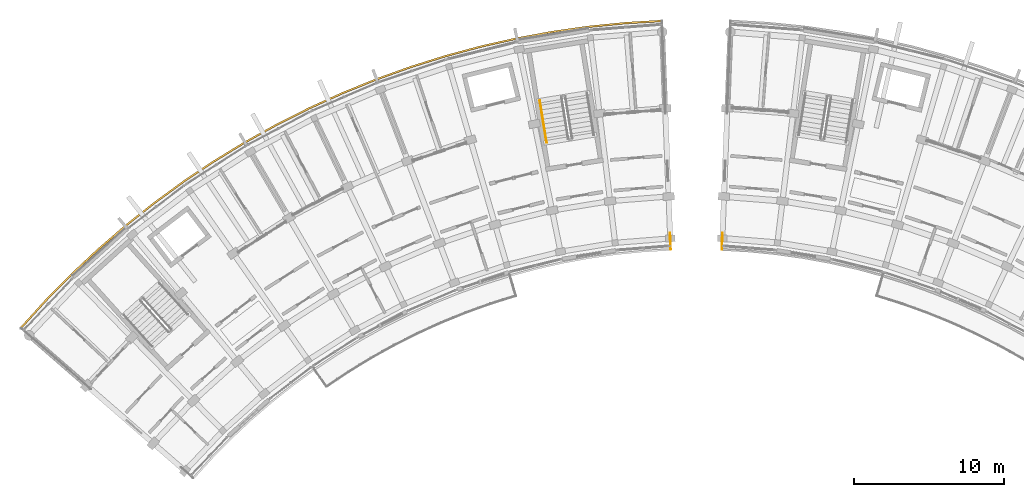
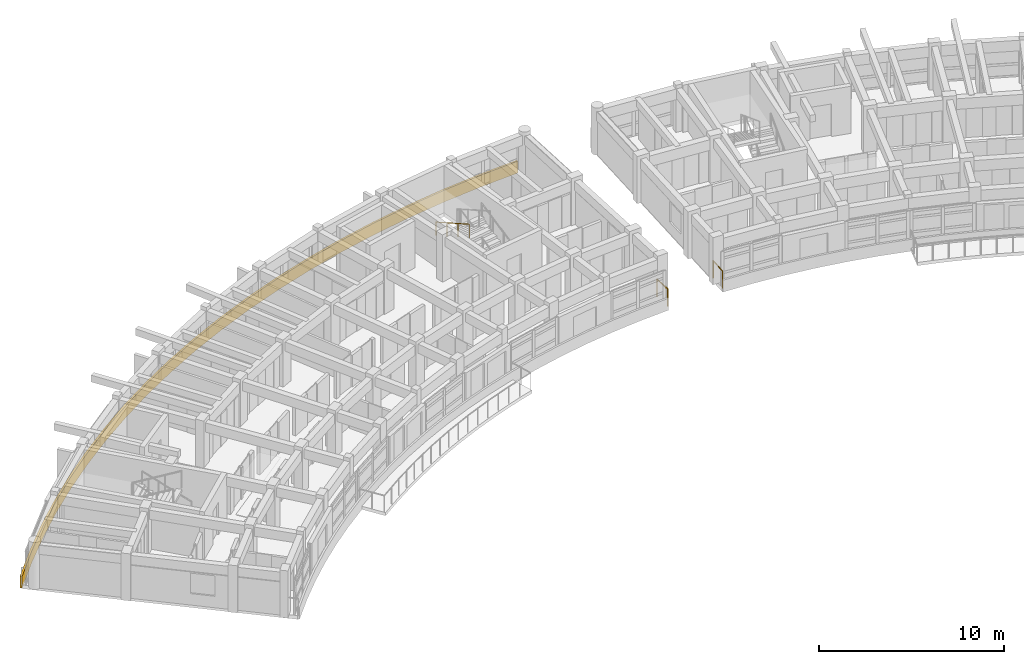
# One storey, part 43 of 54: 4 railings.
"""IFC4 building model written with IfcOpenShell, lengths in metres."""

import ifcopenshell
import ifcopenshell.guid

model = None  # the IFC model being written
_history = None  # IfcOwnerHistory: only IFC2X3 demands one
_inside = {}  # id of a spatial element -> (the spatial element, [elements in it])
_under = {}  # id of a project, library or spatial element -> (it, [spatial elements below it])
_declared = {}  # id of a project -> (the project, [libraries it declares])
_typed = {}  # id of a type object -> (the type object, [elements of that type])
_made_of = {}  # id of a material, layer set ... -> (it, [elements and type objects made of it])


def new_model(schema):
    """Start an empty IFC model of exactly this schema.

    Asked for "IFC4X3", IfcOpenShell would pick the latest addendum, in which some entities
    have other attributes; the version numbers below select the first issue.
    IFC2X3 requires an IfcOwnerHistory on every rooted entity: one is made here for all.
    """
    global model, _history
    if schema == "IFC4X3":
        model = ifcopenshell.file(schema_version=(4, 3, 0, 0))
    else:
        model = ifcopenshell.file(schema=schema)
    _inside.clear()
    _under.clear()
    _declared.clear()
    _typed.clear()
    _made_of.clear()
    _history = None
    if model.schema == "IFC2X3":
        org = make("IfcOrganization", Name="unknown")
        user = make(
            "IfcPersonAndOrganization",
            ThePerson=make("IfcPerson", FamilyName="unknown"),
            TheOrganization=org,
        )
        app = make(
            "IfcApplication",
            ApplicationDeveloper=org,
            Version="unknown",
            ApplicationFullName="unknown",
            ApplicationIdentifier="unknown",
        )
        _history = make(
            "IfcOwnerHistory",
            OwningUser=user,
            OwningApplication=app,
            ChangeAction="ADDED",
            CreationDate=0,
        )
    return model


def make(cls, **values):
    """One entity of the class cls with the attributes given. An attribute that is None is left unset."""
    return model.create_entity(
        cls, **{name: value for name, value in values.items() if value is not None}
    )


def rooted(cls, **values):
    """An entity with a GlobalId (a new one), such as an element, a storey or a relation."""
    return make(cls, GlobalId=ifcopenshell.guid.new(), OwnerHistory=_history, **values)


def si_unit(unit_type, name, prefix=None):
    """IfcSIUnit, for example si_unit("LENGTHUNIT", "METRE", prefix="MILLI")."""
    return make("IfcSIUnit", UnitType=unit_type, Prefix=prefix, Name=name)


def assignment(units):
    """IfcUnitAssignment: the units of a project."""
    return None if units is None else make("IfcUnitAssignment", Units=units)


def point(xyz):
    """IfcCartesianPoint."""
    return None if xyz is None else make("IfcCartesianPoint", Coordinates=xyz)


def direction(xyz):
    """IfcDirection."""
    return None if xyz is None else make("IfcDirection", DirectionRatios=xyz)


def frame(location, z_axis=None, x_axis=None):
    """IfcAxis2Placement3D, a coordinate frame: its origin and axes. An axis left out is left unset."""
    return make(
        "IfcAxis2Placement3D",
        Location=point(location),
        Axis=direction(z_axis),
        RefDirection=direction(x_axis),
    )


def frame_2d(location, x_axis=None):
    """IfcAxis2Placement2D, a coordinate frame in the plane: its origin and x axis."""
    return make(
        "IfcAxis2Placement2D", Location=point(location), RefDirection=direction(x_axis)
    )


def origin():
    """The frame at (0, 0, 0) with its axes left unset."""
    return frame((0.0, 0.0, 0.0))


def origin_2d():
    """The frame at (0, 0) in the plane with its x axis left unset."""
    return frame_2d((0.0, 0.0))


def place(relative_to, where):
    """IfcLocalPlacement: puts the frame where relative to a parent placement (None: the world)."""
    return make(
        "IfcLocalPlacement", PlacementRelTo=relative_to, RelativePlacement=where
    )


def context(
    kind, dimensions, precision=None, world=None, true_north=None, identifier=None
):
    """IfcGeometricRepresentationContext, for example the 3D "Model" context."""
    return make(
        "IfcGeometricRepresentationContext",
        ContextIdentifier=identifier,
        ContextType=kind,
        CoordinateSpaceDimension=dimensions,
        Precision=precision,
        WorldCoordinateSystem=world,
        TrueNorth=true_north,
    )


def subcontext(parent, identifier, kind, view, scale=None):
    """IfcGeometricRepresentationSubContext, for example "Body" below "Model"."""
    return make(
        "IfcGeometricRepresentationSubContext",
        ContextIdentifier=identifier,
        ContextType=kind,
        ParentContext=parent,
        TargetScale=scale,
        TargetView=view,
    )


def project(units=None, contexts=None):
    """IfcProject with its units and contexts."""
    return rooted(
        "IfcProject",
        Name="project",
        RepresentationContexts=contexts,
        UnitsInContext=assignment(units),
    )


def spatial(cls, under=None, at=None, **own):
    """A site, building, storey or space (cls), placed at a placement, below another one or the project."""
    s = rooted(cls, ObjectPlacement=at, **own)
    if under is not None:
        _under.setdefault(under.id(), (under, []))[1].append(s)
    return s


def polyline(points):
    """IfcPolyline through the points."""
    return make("IfcPolyline", Points=[point(p) for p in points])


def profile(cls, at=None, kind="AREA", **sizes):
    """A parametric profile (cls). Its sizes go by their IFC names, for example OverallWidth=200.0."""
    return make(cls, ProfileType=kind, Position=at, **sizes)


def circle(**sizes):
    """IfcCircleProfileDef."""
    return profile("IfcCircleProfileDef", **sizes)


def outline(outer, holes=None, kind="AREA"):
    """IfcArbitraryClosedProfileDef: a profile drawn as a closed curve; with holes, ...WithVoids."""
    if holes is None:
        return make("IfcArbitraryClosedProfileDef", ProfileType=kind, OuterCurve=outer)
    return make(
        "IfcArbitraryProfileDefWithVoids",
        ProfileType=kind,
        OuterCurve=outer,
        InnerCurves=holes,
    )


def extrude(swept, where, along, depth):
    """IfcExtrudedAreaSolid: the profile swept, set in the frame where, extruded along a direction by depth."""
    return make(
        "IfcExtrudedAreaSolid",
        SweptArea=swept,
        Position=where,
        ExtrudedDirection=direction(along),
        Depth=depth,
    )


def shape(context_of_items, identifier, shape_type, items):
    """IfcShapeRepresentation: the items that make up one representation, for example the "Body"."""
    return make(
        "IfcShapeRepresentation",
        ContextOfItems=context_of_items,
        RepresentationIdentifier=identifier,
        RepresentationType=shape_type,
        Items=items,
    )


def material(Name=None, Category=None):
    """IfcMaterial."""
    return make("IfcMaterial", Name=Name, Category=Category)


def made_of(thing, what):
    """Note that an element or type object is made of a material, layer set ...; save() writes the relation."""
    if what is not None:
        _made_of.setdefault(what.id(), (what, []))[1].append(thing)
    return thing


def type_object(cls, material=None, **own):
    """A type object (cls), such as IfcWallType, which elements share."""
    return made_of(rooted(cls, **own), material)


def element(
    cls,
    number,
    at=None,
    inside=None,
    cuts=None,
    type_object=None,
    material=None,
    context=None,
    identifier="Body",
    shape_type=None,
    held_by="IfcProductDefinitionShape",
    body=None,
    shapes=None,
    **own,
):
    """One element of the class cls, such as IfcWall. Its Tag is "e" and its number.

    at: its placement. inside: the storey or other place that contains it. cuts: it is an
    opening in that element (IfcRelVoidsElement). A single representation is given by context,
    identifier, shape_type and body (its items); several are given by shapes. held_by: the class
    of the entity that holds the representations. save() writes the other relations.
    """
    e = rooted(cls, Tag="e%d" % number, ObjectPlacement=at, **own)
    if body is not None:
        shapes = [shape(context, identifier, shape_type, body)]
    if shapes is not None:
        e.Representation = make(held_by, Representations=shapes)
    if inside is not None:
        _inside.setdefault(inside.id(), (inside, []))[1].append(e)
    if cuts is not None:
        rooted(
            "IfcRelVoidsElement", RelatingBuildingElement=cuts, RelatedOpeningElement=e
        )
    if type_object is not None:
        _typed.setdefault(type_object.id(), (type_object, []))[1].append(e)
    return made_of(e, material)


def aggregate(whole, parts):
    """IfcRelAggregates: a whole, such as a stair, and the parts it consists of."""
    return rooted("IfcRelAggregates", RelatingObject=whole, RelatedObjects=parts)


def save(model, path):
    """Write the relations noted so far, then the file.

    IfcRelAggregates (storeys below a building ...), IfcRelContainedInSpatialStructure (elements
    in a storey), IfcRelDefinesByType, IfcRelAssociatesMaterial and IfcRelDeclares: one each for
    every whole, place, type object, material and project.
    """
    for whole, parts in _under.values():
        aggregate(whole, parts)
    for where, things in _inside.values():
        rooted(
            "IfcRelContainedInSpatialStructure",
            RelatedElements=things,
            RelatingStructure=where,
        )
    for kind, things in _typed.values():
        rooted("IfcRelDefinesByType", RelatedObjects=things, RelatingType=kind)
    for what, things in _made_of.values():
        rooted("IfcRelAssociatesMaterial", RelatedObjects=things, RelatingMaterial=what)
    for by, libraries in _declared.values():
        rooted("IfcRelDeclares", RelatingContext=by, RelatedDefinitions=libraries)
    model.write(path)


model = new_model("IFC4")

# Units and contexts
model_context = context("Model", 3, precision=1e-05, world=origin(), true_north=direction((0.0, 1.0)))
body_context = subcontext(model_context, "Body", "Model", "MODEL_VIEW")
ifc_project = project(units=[si_unit("LENGTHUNIT", "METRE"), si_unit("AREAUNIT", "SQUARE_METRE"), si_unit("VOLUMEUNIT", "CUBIC_METRE"), si_unit("PLANEANGLEUNIT", "RADIAN"), si_unit("MASSUNIT", "GRAM", prefix="KILO")], contexts=[model_context])

# Site, building, storey
site_placement = place(None, origin())
site = spatial("IfcSite", under=ifc_project, at=site_placement, CompositionType="ELEMENT")
building_placement = place(site_placement, origin())
building = spatial("IfcBuilding", under=site, at=building_placement, Name="Zimvara Arc Housing Community", CompositionType="ELEMENT")
storey_placement = place(building_placement, frame((0.0, 0.0, 23.60009765625)))
storey = spatial("IfcBuildingStorey", under=building, at=storey_placement, Name="L07", CompositionType="ELEMENT", Elevation=23.60009765625)

# Railings
ifc_material_1 = material(Name="Anodised Aluminium AW-6063", Category="aluminium")
railing_type_1 = type_object("IfcRailingType", Name="RLG-BAL-1150", PredefinedType="BALUSTRADE", material=ifc_material_1)
railing_1_placement = place(storey_placement, frame((43.295654296875, 88.8671875, 0.0)))
element("IfcRailing", 1, at=railing_1_placement, inside=storey, type_object=railing_type_1, Name="rlg:blkA:L07:gable_in:gN", PredefinedType="BALUSTRADE", context=body_context, shape_type="SweptSolid", body=[
    extrude(circle(Radius=0.02392578125, at=origin_2d()), frame((0.0, 0.0, 1.1259765625), z_axis=(-0.038424441628, 0.999261508458, 0.0), x_axis=(-0.999261508458, -0.038424441628, 0.0)), (0.0, 0.0, 1.0), 1.080078125),
    extrude(circle(Radius=0.02099609375, at=origin_2d()), origin(), (0.0, 0.0, 1.0), 1.101806640625),
    extrude(circle(Radius=0.02099609375, at=origin_2d()), frame((-0.04150390625, 1.079345703125, 0.0)), (0.0, 0.0, 1.0), 1.101806640625),
])
railing_2_placement = place(storey_placement, frame((46.704345703125, 88.8671875, 0.0)))
element("IfcRailing", 2, at=railing_2_placement, inside=storey, type_object=railing_type_1, Name="rlg:blkB:L07:gable_in:g0", PredefinedType="BALUSTRADE", context=body_context, shape_type="SweptSolid", body=[
    extrude(circle(Radius=0.02392578125, at=origin_2d()), frame((0.0, 0.0, 1.1259765625), z_axis=(0.038424441628, 0.999261508458, 0.0), x_axis=(-0.999261508458, 0.038424441628, 0.0)), (0.0, 0.0, 1.0), 1.080078125),
    extrude(circle(Radius=0.02099609375, at=origin_2d()), origin(), (0.0, 0.0, 1.0), 1.101806640625),
    extrude(circle(Radius=0.02099609375, at=origin_2d()), frame((0.04150390625, 1.079345703125, 0.0)), (0.0, 0.0, 1.0), 1.101806640625),
])
ifc_material_2 = material(Name="Pale-Gold Anodised Aluminium AW-6063", Category="aluminium")
railing_type_2 = type_object("IfcRailingType", Name="RLG-FAS-780", PredefinedType="BALUSTRADE", material=ifc_material_2)
railing_3_placement = place(storey_placement, frame((0.0, 0.0, -0.22021484375)))
element("IfcRailing", 3, at=railing_3_placement, inside=storey, type_object=railing_type_2, Name="rlg:blkA:L07:gold_out", PredefinedType="BALUSTRADE", context=body_context, shape_type="SweptSolid", body=[
    extrude(outline(polyline([(0.049560546875, 83.574951171875), (1.682373046875, 85.377685546875), (3.387451171875, 87.112060546875), (5.162109375, 88.775634765625), (7.0029296875, 90.365234375), (8.9072265625, 91.87841796875), (10.871826171875, 93.3125), (12.893310546875, 94.665283203125), (14.96826171875, 95.934326171875), (17.09326171875, 97.11767578125), (19.264892578125, 98.213134765625), (21.4794921875, 99.218994140625), (23.733154296875, 100.1337890625), (26.0224609375, 100.955810546875), (28.34326171875, 101.68359375), (30.692138671875, 102.31591796875), (33.064453125, 102.851806640625), (35.45703125, 103.29052734375), (37.865234375, 103.631103515625), (40.28564453125, 103.873046875), (42.713623046875, 104.01611328125), (42.708984375, 104.135986328125), (40.276123046875, 103.99267578125), (37.850830078125, 103.750244140625), (35.437744140625, 103.408935546875), (33.04052734375, 102.969482421875), (30.6630859375, 102.432373046875), (28.309814453125, 101.798583984375), (25.984375, 101.069580078125), (23.6904296875, 100.245849609375), (21.43212890625, 99.329345703125), (19.213134765625, 98.3212890625), (17.037109375, 97.2236328125), (14.90771484375, 96.037841796875), (12.82861328125, 94.766357421875), (10.802978515625, 93.410888671875), (8.834716796875, 91.973876953125), (6.926513671875, 90.457763671875), (5.081787109375, 88.86474609375), (3.3037109375, 87.197998046875), (1.59521484375, 85.4599609375), (-0.041015625, 83.653564453125), (0.049560546875, 83.574951171875)])), origin(), (0.0, 0.0, 1.0), 0.780029296875),
])
ifc_material_3 = material(Name="Anodised Aluminium AW-6063", Category="aluminium")
railing_type_3 = type_object("IfcRailingType", Name="RLG-HND-900", PredefinedType="HANDRAIL", material=ifc_material_3)
railing_4_placement = place(storey_placement, frame((34.58056640625, 98.7666015625, 1.704833984375)))
element("IfcRailing", 4, at=railing_4_placement, inside=storey, type_object=railing_type_3, Name="L07 ST-A2 stair handrail 2", PredefinedType="HANDRAIL", context=body_context, shape_type="SweptSolid", body=[
    extrude(circle(Radius=0.02392578125, at=origin_2d()), frame((0.0, 0.0, 0.8759765625), z_axis=(0.143721784145, -0.885666177347, 0.441519502474), x_axis=(0.987087819028, 0.160180016, 0.0)), (0.0, 0.0, 1.0), 3.15966796875),
    extrude(circle(Radius=0.02099609375, at=origin_2d()), origin(), (0.0, 0.0, 1.0), 0.851806640625),
    extrude(circle(Radius=0.02099609375, at=origin_2d()), frame((0.1513671875, -0.932861328125, 0.465087890625)), (0.0, 0.0, 1.0), 0.851806640625),
    extrude(circle(Radius=0.02099609375, at=origin_2d()), frame((0.302734375, -1.865478515625, 0.929931640625)), (0.0, 0.0, 1.0), 0.851806640625),
    extrude(circle(Radius=0.02099609375, at=origin_2d()), frame((0.4541015625, -2.79833984375, 1.39501953125)), (0.0, 0.0, 1.0), 0.851806640625),
])

save(model, "model.ifc")
